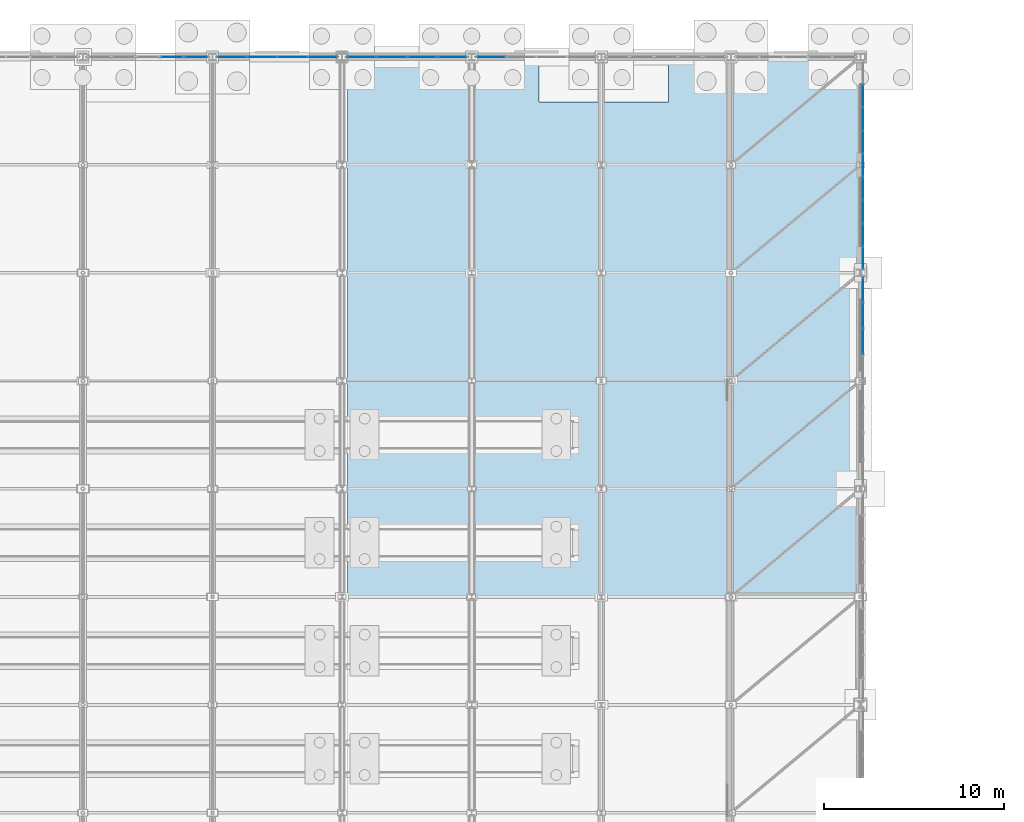
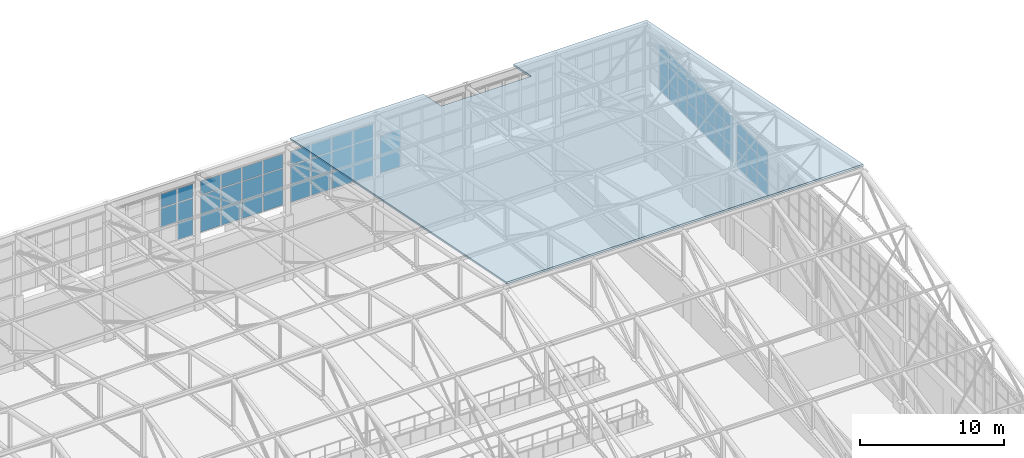
# One storey, part 253 of 293: 64 plates, 1 slab, 6 elements without a shape of their own.
"""IFC4 building model written with IfcOpenShell, lengths in metres."""

from ifc_helpers import new_model, si_unit, direction, frame, origin, origin_2d, place, context, subcontext, project, spatial, polyline, rectangle, outline, extrude, material, layer, layer_set, type_object, element, aggregate, save


model = new_model("IFC4")

# Units and contexts
model_context = context("Model", 3, precision=1e-05, world=origin(), true_north=direction((0.0, 1.0)))
body_context = subcontext(model_context, "Body", "Model", "MODEL_VIEW")
ifc_project = project(units=[si_unit("LENGTHUNIT", "METRE"), si_unit("AREAUNIT", "SQUARE_METRE"), si_unit("VOLUMEUNIT", "CUBIC_METRE"), si_unit("PLANEANGLEUNIT", "RADIAN"), si_unit("MASSUNIT", "GRAM", prefix="KILO")], contexts=[model_context])

# Site, building, storey
site_placement = place(None, origin())
site = spatial("IfcSite", under=ifc_project, at=site_placement, CompositionType="ELEMENT")
building_placement = place(site_placement, origin())
building = spatial("IfcBuilding", under=site, at=building_placement, Name="Kemerveld Promenade Tramway Depot", CompositionType="ELEMENT")
storey_placement = place(building_placement, origin())
storey = spatial("IfcBuildingStorey", under=building, at=storey_placement, Name="L00", CompositionType="ELEMENT", Elevation=0.0)

# Curtain wall, plates
ifc_material_1 = material(Name="Bronze anodised aluminium and solar glass", Category="aluminium")
ifc_layer_1 = layer(ifc_material_1, 0.159912109375)
ifc_layer_set_1 = layer_set([ifc_layer_1], Name="CW-SYS-03")
curtain_wall_type_1 = type_object("IfcCurtainWallType", Name="CW-SYS-03", PredefinedType="USERDEFINED", material=ifc_layer_set_1)
curtain_wall_1_placement = place(storey_placement, origin())
curtain_wall_1 = element("IfcCurtainWall", 1, at=curtain_wall_1_placement, inside=storey, type_object=curtain_wall_type_1, Name="CW-V1-N-17", ObjectType="GLAZED_CURTAIN_WALL", PredefinedType="USERDEFINED")
ifc_material_2 = material(Name="Solar-control laminated double glazing", Category="glass")
ifc_layer_2 = layer(ifc_material_2, 0.028076171875)
ifc_layer_set_2 = layer_set([ifc_layer_2], Name="CW-PNL-01")
plate_type_1 = type_object("IfcPlateType", Name="CW-PNL-01", PredefinedType="CURTAIN_PANEL", material=ifc_layer_set_2)
plate_1_placement = place(storey_placement, frame((152.28369140625, 144.0, 6.259765625), z_axis=(0.0, 0.0, 1.0), x_axis=(1.0, 0.0, 0.0)))
plate_1 = element("IfcPlate", 2, at=plate_1_placement, type_object=plate_type_1, Name="CW03 panel 1.1", PredefinedType="CURTAIN_PANEL", context=body_context, shape_type="SweptSolid", body=[
    extrude(rectangle(XDim=1.5908203125, YDim=0.028076171875, at=origin_2d()), origin(), (0.0, 0.0, 1.0), 1.468017578125),
])
plate_2_placement = place(storey_placement, frame((152.28369140625, 144.0, 7.7880859375), z_axis=(0.0, 0.0, 1.0), x_axis=(1.0, 0.0, 0.0)))
plate_2 = element("IfcPlate", 3, at=plate_2_placement, type_object=plate_type_1, Name="CW03 panel 1.2", PredefinedType="CURTAIN_PANEL", context=body_context, shape_type="SweptSolid", body=[
    extrude(rectangle(XDim=1.5908203125, YDim=0.028076171875, at=origin_2d()), origin(), (0.0, 0.0, 1.0), 1.5859375),
])
plate_3_placement = place(storey_placement, frame((152.28369140625, 144.0, 9.43408203125), z_axis=(0.0, 0.0, 1.0), x_axis=(1.0, 0.0, 0.0)))
plate_3 = element("IfcPlate", 4, at=plate_3_placement, type_object=plate_type_1, Name="CW03 panel 1.3", PredefinedType="CURTAIN_PANEL", context=body_context, shape_type="SweptSolid", body=[
    extrude(rectangle(XDim=1.5908203125, YDim=0.028076171875, at=origin_2d()), origin(), (0.0, 0.0, 1.0), 1.156005859375),
])
plate_4_placement = place(storey_placement, frame((153.955810546875, 144.0, 6.259765625), z_axis=(0.0, 0.0, 1.0), x_axis=(1.0, 0.0, 0.0)))
plate_4 = element("IfcPlate", 5, at=plate_4_placement, type_object=plate_type_1, Name="CW03 panel 2.1", PredefinedType="CURTAIN_PANEL", context=body_context, shape_type="SweptSolid", body=[
    extrude(rectangle(XDim=1.623291015625, YDim=0.028076171875, at=origin_2d()), origin(), (0.0, 0.0, 1.0), 1.468017578125),
])
plate_5_placement = place(storey_placement, frame((153.955810546875, 144.0, 7.7880859375), z_axis=(0.0, 0.0, 1.0), x_axis=(1.0, 0.0, 0.0)))
plate_5 = element("IfcPlate", 6, at=plate_5_placement, type_object=plate_type_1, Name="CW03 panel 2.2", PredefinedType="CURTAIN_PANEL", context=body_context, shape_type="SweptSolid", body=[
    extrude(rectangle(XDim=1.623291015625, YDim=0.028076171875, at=origin_2d()), origin(), (0.0, 0.0, 1.0), 1.5859375),
])
plate_6_placement = place(storey_placement, frame((153.955810546875, 144.0, 9.43408203125), z_axis=(0.0, 0.0, 1.0), x_axis=(1.0, 0.0, 0.0)))
plate_6 = element("IfcPlate", 7, at=plate_6_placement, type_object=plate_type_1, Name="CW03 panel 2.3", PredefinedType="CURTAIN_PANEL", context=body_context, shape_type="SweptSolid", body=[
    extrude(rectangle(XDim=1.623291015625, YDim=0.028076171875, at=origin_2d()), origin(), (0.0, 0.0, 1.0), 1.156005859375),
])
plate_7_placement = place(storey_placement, frame((155.644287109375, 144.0, 6.259765625), z_axis=(0.0, 0.0, 1.0), x_axis=(1.0, 0.0, 0.0)))
plate_7 = element("IfcPlate", 8, at=plate_7_placement, type_object=plate_type_1, Name="CW03 panel 3.1", PredefinedType="CURTAIN_PANEL", context=body_context, shape_type="SweptSolid", body=[
    extrude(rectangle(XDim=1.623291015625, YDim=0.028076171875, at=origin_2d()), origin(), (0.0, 0.0, 1.0), 1.468017578125),
])
plate_8_placement = place(storey_placement, frame((155.644287109375, 144.0, 7.7880859375), z_axis=(0.0, 0.0, 1.0), x_axis=(1.0, 0.0, 0.0)))
plate_8 = element("IfcPlate", 9, at=plate_8_placement, type_object=plate_type_1, Name="CW03 panel 3.2", PredefinedType="CURTAIN_PANEL", context=body_context, shape_type="SweptSolid", body=[
    extrude(rectangle(XDim=1.623291015625, YDim=0.028076171875, at=origin_2d()), origin(), (0.0, 0.0, 1.0), 1.5859375),
])
plate_9_placement = place(storey_placement, frame((155.644287109375, 144.0, 9.43408203125), z_axis=(0.0, 0.0, 1.0), x_axis=(1.0, 0.0, 0.0)))
plate_9 = element("IfcPlate", 10, at=plate_9_placement, type_object=plate_type_1, Name="CW03 panel 3.3", PredefinedType="CURTAIN_PANEL", context=body_context, shape_type="SweptSolid", body=[
    extrude(rectangle(XDim=1.623291015625, YDim=0.028076171875, at=origin_2d()), origin(), (0.0, 0.0, 1.0), 1.156005859375),
])
plate_10_placement = place(storey_placement, frame((157.31640625, 144.0, 6.259765625), z_axis=(0.0, 0.0, 1.0), x_axis=(1.0, 0.0, 0.0)))
plate_10 = element("IfcPlate", 11, at=plate_10_placement, type_object=plate_type_1, Name="CW03 panel 4.1", PredefinedType="CURTAIN_PANEL", context=body_context, shape_type="SweptSolid", body=[
    extrude(rectangle(XDim=1.5908203125, YDim=0.028076171875, at=origin_2d()), origin(), (0.0, 0.0, 1.0), 1.468017578125),
])
plate_11_placement = place(storey_placement, frame((157.31640625, 144.0, 7.7880859375), z_axis=(0.0, 0.0, 1.0), x_axis=(1.0, 0.0, 0.0)))
plate_11 = element("IfcPlate", 12, at=plate_11_placement, type_object=plate_type_1, Name="CW03 panel 4.2", PredefinedType="CURTAIN_PANEL", context=body_context, shape_type="SweptSolid", body=[
    extrude(rectangle(XDim=1.5908203125, YDim=0.028076171875, at=origin_2d()), origin(), (0.0, 0.0, 1.0), 1.5859375),
])
plate_12_placement = place(storey_placement, frame((157.31640625, 144.0, 9.43408203125), z_axis=(0.0, 0.0, 1.0), x_axis=(1.0, 0.0, 0.0)))
plate_12 = element("IfcPlate", 13, at=plate_12_placement, type_object=plate_type_1, Name="CW03 panel 4.3", PredefinedType="CURTAIN_PANEL", context=body_context, shape_type="SweptSolid", body=[
    extrude(rectangle(XDim=1.5908203125, YDim=0.028076171875, at=origin_2d()), origin(), (0.0, 0.0, 1.0), 1.156005859375),
])
aggregate(curtain_wall_1, [plate_1, plate_2, plate_3, plate_4, plate_5, plate_6, plate_7, plate_8, plate_9, plate_10, plate_11, plate_12])

ifc_layer_3 = layer(ifc_material_1, 0.199951171875)
ifc_layer_set_3 = layer_set([ifc_layer_3], Name="CW-SYS-04")
curtain_wall_type_2 = type_object("IfcCurtainWallType", Name="CW-SYS-04", PredefinedType="USERDEFINED", material=ifc_layer_set_3)
curtain_wall_2_placement = place(storey_placement, origin())
curtain_wall_2 = element("IfcCurtainWall", 14, at=curtain_wall_2_placement, inside=storey, type_object=curtain_wall_type_2, Name="CW-V1-N-18", ObjectType="GLAZED_CURTAIN_WALL", PredefinedType="USERDEFINED")
ifc_layer_4 = layer(ifc_material_2, 0.028076171875)
ifc_layer_set_4 = layer_set([ifc_layer_4], Name="CW-PNL-02")
plate_type_2 = type_object("IfcPlateType", Name="CW-PNL-02", PredefinedType="CURTAIN_PANEL", material=ifc_layer_set_4)
plate_13_placement = place(storey_placement, frame((159.486083984375, 144.0, 6.26513671875), z_axis=(0.0, 0.0, 1.0), x_axis=(1.0, 0.0, 0.0)))
plate_13 = element("IfcPlate", 15, at=plate_13_placement, type_object=plate_type_2, Name="CW04 panel 1.1", PredefinedType="CURTAIN_PANEL", context=body_context, shape_type="SweptSolid", body=[
    extrude(rectangle(XDim=1.575927734375, YDim=0.028076171875, at=origin_2d()), origin(), (0.0, 0.0, 1.0), 1.46044921875),
])
plate_14_placement = place(storey_placement, frame((159.486083984375, 144.0, 7.79052734375), z_axis=(0.0, 0.0, 1.0), x_axis=(1.0, 0.0, 0.0)))
plate_14 = element("IfcPlate", 16, at=plate_14_placement, type_object=plate_type_2, Name="CW04 panel 1.2", PredefinedType="CURTAIN_PANEL", context=body_context, shape_type="SweptSolid", body=[
    extrude(rectangle(XDim=1.575927734375, YDim=0.028076171875, at=origin_2d()), origin(), (0.0, 0.0, 1.0), 1.5810546875),
])
plate_15_placement = place(storey_placement, frame((159.486083984375, 144.0, 9.4365234375), z_axis=(0.0, 0.0, 1.0), x_axis=(1.0, 0.0, 0.0)))
plate_15 = element("IfcPlate", 17, at=plate_15_placement, type_object=plate_type_2, Name="CW04 panel 1.3", PredefinedType="CURTAIN_PANEL", context=body_context, shape_type="SweptSolid", body=[
    extrude(rectangle(XDim=1.575927734375, YDim=0.028076171875, at=origin_2d()), origin(), (0.0, 0.0, 1.0), 1.1484375),
])
plate_16_placement = place(storey_placement, frame((161.15576171875, 144.0, 6.26513671875), z_axis=(0.0, 0.0, 1.0), x_axis=(1.0, 0.0, 0.0)))
plate_16 = element("IfcPlate", 18, at=plate_16_placement, type_object=plate_type_2, Name="CW04 panel 2.1", PredefinedType="CURTAIN_PANEL", context=body_context, shape_type="SweptSolid", body=[
    extrude(rectangle(XDim=1.61328125, YDim=0.028076171875, at=origin_2d()), origin(), (0.0, 0.0, 1.0), 1.46044921875),
])
plate_17_placement = place(storey_placement, frame((161.15576171875, 144.0, 7.79052734375), z_axis=(0.0, 0.0, 1.0), x_axis=(1.0, 0.0, 0.0)))
plate_17 = element("IfcPlate", 19, at=plate_17_placement, type_object=plate_type_2, Name="CW04 panel 2.2", PredefinedType="CURTAIN_PANEL", context=body_context, shape_type="SweptSolid", body=[
    extrude(rectangle(XDim=1.61328125, YDim=0.028076171875, at=origin_2d()), origin(), (0.0, 0.0, 1.0), 1.5810546875),
])
plate_18_placement = place(storey_placement, frame((161.15576171875, 144.0, 9.4365234375), z_axis=(0.0, 0.0, 1.0), x_axis=(1.0, 0.0, 0.0)))
plate_18 = element("IfcPlate", 20, at=plate_18_placement, type_object=plate_type_2, Name="CW04 panel 2.3", PredefinedType="CURTAIN_PANEL", context=body_context, shape_type="SweptSolid", body=[
    extrude(rectangle(XDim=1.61328125, YDim=0.028076171875, at=origin_2d()), origin(), (0.0, 0.0, 1.0), 1.1484375),
])
plate_19_placement = place(storey_placement, frame((162.84423828125, 144.0, 6.26513671875), z_axis=(0.0, 0.0, 1.0), x_axis=(1.0, 0.0, 0.0)))
plate_19 = element("IfcPlate", 21, at=plate_19_placement, type_object=plate_type_2, Name="CW04 panel 3.1", PredefinedType="CURTAIN_PANEL", context=body_context, shape_type="SweptSolid", body=[
    extrude(rectangle(XDim=1.61328125, YDim=0.028076171875, at=origin_2d()), origin(), (0.0, 0.0, 1.0), 1.46044921875),
])
plate_20_placement = place(storey_placement, frame((162.84423828125, 144.0, 7.79052734375), z_axis=(0.0, 0.0, 1.0), x_axis=(1.0, 0.0, 0.0)))
plate_20 = element("IfcPlate", 22, at=plate_20_placement, type_object=plate_type_2, Name="CW04 panel 3.2", PredefinedType="CURTAIN_PANEL", context=body_context, shape_type="SweptSolid", body=[
    extrude(rectangle(XDim=1.61328125, YDim=0.028076171875, at=origin_2d()), origin(), (0.0, 0.0, 1.0), 1.5810546875),
])
plate_21_placement = place(storey_placement, frame((162.84423828125, 144.0, 9.4365234375), z_axis=(0.0, 0.0, 1.0), x_axis=(1.0, 0.0, 0.0)))
plate_21 = element("IfcPlate", 23, at=plate_21_placement, type_object=plate_type_2, Name="CW04 panel 3.3", PredefinedType="CURTAIN_PANEL", context=body_context, shape_type="SweptSolid", body=[
    extrude(rectangle(XDim=1.61328125, YDim=0.028076171875, at=origin_2d()), origin(), (0.0, 0.0, 1.0), 1.1484375),
])
plate_22_placement = place(storey_placement, frame((164.513916015625, 144.0, 6.26513671875), z_axis=(0.0, 0.0, 1.0), x_axis=(1.0, 0.0, 0.0)))
plate_22 = element("IfcPlate", 24, at=plate_22_placement, type_object=plate_type_2, Name="CW04 panel 4.1", PredefinedType="CURTAIN_PANEL", context=body_context, shape_type="SweptSolid", body=[
    extrude(rectangle(XDim=1.575927734375, YDim=0.028076171875, at=origin_2d()), origin(), (0.0, 0.0, 1.0), 1.46044921875),
])
plate_23_placement = place(storey_placement, frame((164.513916015625, 144.0, 7.79052734375), z_axis=(0.0, 0.0, 1.0), x_axis=(1.0, 0.0, 0.0)))
plate_23 = element("IfcPlate", 25, at=plate_23_placement, type_object=plate_type_2, Name="CW04 panel 4.2", PredefinedType="CURTAIN_PANEL", context=body_context, shape_type="SweptSolid", body=[
    extrude(rectangle(XDim=1.575927734375, YDim=0.028076171875, at=origin_2d()), origin(), (0.0, 0.0, 1.0), 1.5810546875),
])
plate_24_placement = place(storey_placement, frame((164.513916015625, 144.0, 9.4365234375), z_axis=(0.0, 0.0, 1.0), x_axis=(1.0, 0.0, 0.0)))
plate_24 = element("IfcPlate", 26, at=plate_24_placement, type_object=plate_type_2, Name="CW04 panel 4.3", PredefinedType="CURTAIN_PANEL", context=body_context, shape_type="SweptSolid", body=[
    extrude(rectangle(XDim=1.575927734375, YDim=0.028076171875, at=origin_2d()), origin(), (0.0, 0.0, 1.0), 1.1484375),
])
aggregate(curtain_wall_2, [plate_13, plate_14, plate_15, plate_16, plate_17, plate_18, plate_19, plate_20, plate_21, plate_22, plate_23, plate_24])

ifc_layer_5 = layer(ifc_material_1, 0.159912109375)
ifc_layer_set_5 = layer_set([ifc_layer_5], Name="CW-SYS-05")
curtain_wall_type_3 = type_object("IfcCurtainWallType", Name="CW-SYS-05", PredefinedType="USERDEFINED", material=ifc_layer_set_5)
curtain_wall_3_placement = place(storey_placement, origin())
curtain_wall_3 = element("IfcCurtainWall", 27, at=curtain_wall_3_placement, inside=storey, type_object=curtain_wall_type_3, Name="CW-V1-N-19", ObjectType="GLAZED_CURTAIN_WALL", PredefinedType="USERDEFINED")
ifc_layer_6 = layer(ifc_material_2, 0.028076171875)
ifc_layer_set_6 = layer_set([ifc_layer_6], Name="CW-PNL-03")
plate_type_3 = type_object("IfcPlateType", Name="CW-PNL-03", PredefinedType="CURTAIN_PANEL", material=ifc_layer_set_6)
plate_25_placement = place(storey_placement, frame((166.68359375, 144.0, 6.259765625), z_axis=(0.0, 0.0, 1.0), x_axis=(1.0, 0.0, 0.0)))
plate_25 = element("IfcPlate", 28, at=plate_25_placement, type_object=plate_type_3, Name="CW05 panel 1.1", PredefinedType="CURTAIN_PANEL", context=body_context, shape_type="SweptSolid", body=[
    extrude(rectangle(XDim=1.5908203125, YDim=0.028076171875, at=origin_2d()), origin(), (0.0, 0.0, 1.0), 1.468017578125),
])
plate_26_placement = place(storey_placement, frame((166.68359375, 144.0, 7.7880859375), z_axis=(0.0, 0.0, 1.0), x_axis=(1.0, 0.0, 0.0)))
plate_26 = element("IfcPlate", 29, at=plate_26_placement, type_object=plate_type_3, Name="CW05 panel 1.2", PredefinedType="CURTAIN_PANEL", context=body_context, shape_type="SweptSolid", body=[
    extrude(rectangle(XDim=1.5908203125, YDim=0.028076171875, at=origin_2d()), origin(), (0.0, 0.0, 1.0), 1.5859375),
])
aggregate(curtain_wall_3, [plate_25, plate_26])

ifc_layer_7 = layer(ifc_material_1, 0.199951171875)
ifc_layer_set_7 = layer_set([ifc_layer_7], Name="CW-SYS-14")
curtain_wall_type_4 = type_object("IfcCurtainWallType", Name="CW-SYS-14", PredefinedType="USERDEFINED", material=ifc_layer_set_7)
curtain_wall_4_placement = place(storey_placement, origin())
curtain_wall_4 = element("IfcCurtainWall", 30, at=curtain_wall_4_placement, inside=storey, type_object=curtain_wall_type_4, Name="CW-V1-E-04", ObjectType="GLAZED_CURTAIN_WALL", PredefinedType="USERDEFINED")
ifc_layer_8 = layer(ifc_material_2, 0.02587890625)
ifc_layer_set_8 = layer_set([ifc_layer_8], Name="CW-PNL-06")
plate_type_4 = type_object("IfcPlateType", Name="CW-PNL-06", PredefinedType="CURTAIN_PANEL", material=ifc_layer_set_8)
plate_27_placement = place(storey_placement, frame((187.35009765625, 131.07080078125, 6.71484375), z_axis=(0.0, 0.0, 1.0), x_axis=(0.0, -1.0, 0.0)))
plate_27 = element("IfcPlate", 31, at=plate_27_placement, type_object=plate_type_4, Name="CW14 panel 1.1", PredefinedType="CURTAIN_PANEL", context=body_context, shape_type="SweptSolid", body=[
    extrude(rectangle(XDim=1.341552734375, YDim=0.02587890625, at=origin_2d()), origin(), (0.0, 0.0, 1.0), 1.285400390625),
])
plate_28_placement = place(storey_placement, frame((187.35009765625, 131.07080078125, 8.0654296875), z_axis=(0.0, 0.0, 1.0), x_axis=(0.0, -1.0, 0.0)))
plate_28 = element("IfcPlate", 32, at=plate_28_placement, type_object=plate_type_4, Name="CW14 panel 1.2", PredefinedType="CURTAIN_PANEL", context=body_context, shape_type="SweptSolid", body=[
    extrude(rectangle(XDim=1.341552734375, YDim=0.02587890625, at=origin_2d()), origin(), (0.0, 0.0, 1.0), 1.39599609375),
])
plate_29_placement = place(storey_placement, frame((187.35009765625, 131.07080078125, 9.5263671875), z_axis=(0.0, 0.0, 1.0), x_axis=(0.0, -1.0, 0.0)))
plate_29 = element("IfcPlate", 33, at=plate_29_placement, type_object=plate_type_4, Name="CW14 panel 1.3", PredefinedType="CURTAIN_PANEL", context=body_context, shape_type="SweptSolid", body=[
    extrude(rectangle(XDim=1.341552734375, YDim=0.02587890625, at=origin_2d()), origin(), (0.0, 0.0, 1.0), 1.008544921875),
])
plate_30_placement = place(storey_placement, frame((187.35009765625, 129.63525390625, 6.71484375), z_axis=(0.0, 0.0, 1.0), x_axis=(0.0, -1.0, 0.0)))
plate_30 = element("IfcPlate", 34, at=plate_30_placement, type_object=plate_type_4, Name="CW14 panel 2.1", PredefinedType="CURTAIN_PANEL", context=body_context, shape_type="SweptSolid", body=[
    extrude(rectangle(XDim=1.379150390625, YDim=0.02587890625, at=origin_2d()), origin(), (0.0, 0.0, 1.0), 1.285400390625),
])
plate_31_placement = place(storey_placement, frame((187.35009765625, 129.63525390625, 8.0654296875), z_axis=(0.0, 0.0, 1.0), x_axis=(0.0, -1.0, 0.0)))
plate_31 = element("IfcPlate", 35, at=plate_31_placement, type_object=plate_type_4, Name="CW14 panel 2.2", PredefinedType="CURTAIN_PANEL", context=body_context, shape_type="SweptSolid", body=[
    extrude(rectangle(XDim=1.379150390625, YDim=0.02587890625, at=origin_2d()), origin(), (0.0, 0.0, 1.0), 1.39599609375),
])
plate_32_placement = place(storey_placement, frame((187.35009765625, 129.63525390625, 9.5263671875), z_axis=(0.0, 0.0, 1.0), x_axis=(0.0, -1.0, 0.0)))
plate_32 = element("IfcPlate", 36, at=plate_32_placement, type_object=plate_type_4, Name="CW14 panel 2.3", PredefinedType="CURTAIN_PANEL", context=body_context, shape_type="SweptSolid", body=[
    extrude(rectangle(XDim=1.379150390625, YDim=0.02587890625, at=origin_2d()), origin(), (0.0, 0.0, 1.0), 1.008544921875),
])
plate_33_placement = place(storey_placement, frame((187.35009765625, 128.18115234375, 6.71484375), z_axis=(0.0, 0.0, 1.0), x_axis=(0.0, -1.0, 0.0)))
plate_33 = element("IfcPlate", 37, at=plate_33_placement, type_object=plate_type_4, Name="CW14 panel 3.1", PredefinedType="CURTAIN_PANEL", context=body_context, shape_type="SweptSolid", body=[
    extrude(rectangle(XDim=1.379150390625, YDim=0.02587890625, at=origin_2d()), origin(), (0.0, 0.0, 1.0), 1.285400390625),
])
plate_34_placement = place(storey_placement, frame((187.35009765625, 128.18115234375, 8.0654296875), z_axis=(0.0, 0.0, 1.0), x_axis=(0.0, -1.0, 0.0)))
plate_34 = element("IfcPlate", 38, at=plate_34_placement, type_object=plate_type_4, Name="CW14 panel 3.2", PredefinedType="CURTAIN_PANEL", context=body_context, shape_type="SweptSolid", body=[
    extrude(rectangle(XDim=1.379150390625, YDim=0.02587890625, at=origin_2d()), origin(), (0.0, 0.0, 1.0), 1.39599609375),
])
plate_35_placement = place(storey_placement, frame((187.35009765625, 128.18115234375, 9.5263671875), z_axis=(0.0, 0.0, 1.0), x_axis=(0.0, -1.0, 0.0)))
plate_35 = element("IfcPlate", 39, at=plate_35_placement, type_object=plate_type_4, Name="CW14 panel 3.3", PredefinedType="CURTAIN_PANEL", context=body_context, shape_type="SweptSolid", body=[
    extrude(rectangle(XDim=1.379150390625, YDim=0.02587890625, at=origin_2d()), origin(), (0.0, 0.0, 1.0), 1.008544921875),
])
aggregate(curtain_wall_4, [plate_27, plate_28, plate_29, plate_30, plate_31, plate_32, plate_33, plate_34, plate_35])

ifc_layer_9 = layer(ifc_material_1, 0.159912109375)
ifc_layer_set_9 = layer_set([ifc_layer_9], Name="CW-SYS-01")
curtain_wall_type_5 = type_object("IfcCurtainWallType", Name="CW-SYS-01", PredefinedType="USERDEFINED", material=ifc_layer_set_9)
curtain_wall_5_placement = place(storey_placement, origin())
curtain_wall_5 = element("IfcCurtainWall", 40, at=curtain_wall_5_placement, inside=storey, type_object=curtain_wall_type_5, Name="CW-V1-E-05", ObjectType="GLAZED_CURTAIN_WALL", PredefinedType="USERDEFINED")
ifc_layer_10 = layer(ifc_material_2, 0.030029296875)
ifc_layer_set_10 = layer_set([ifc_layer_10], Name="CW-PNL-07")
plate_type_5 = type_object("IfcPlateType", Name="CW-PNL-07", PredefinedType="CURTAIN_PANEL", material=ifc_layer_set_10)
plate_36_placement = place(storey_placement, frame((187.35009765625, 141.844482421875, 6.7099609375), z_axis=(0.0, 0.0, 1.0), x_axis=(0.0, -1.0, 0.0)))
plate_36 = element("IfcPlate", 41, at=plate_36_placement, type_object=plate_type_5, Name="CW01 panel 2.1", PredefinedType="CURTAIN_PANEL", context=body_context, shape_type="SweptSolid", body=[
    extrude(rectangle(XDim=1.22314453125, YDim=0.030029296875, at=origin_2d()), origin(), (0.0, 0.0, 1.0), 1.29296875),
])
plate_37_placement = place(storey_placement, frame((187.35009765625, 141.844482421875, 8.06298828125), z_axis=(0.0, 0.0, 1.0), x_axis=(0.0, -1.0, 0.0)))
plate_37 = element("IfcPlate", 42, at=plate_37_placement, type_object=plate_type_5, Name="CW01 panel 2.2", PredefinedType="CURTAIN_PANEL", context=body_context, shape_type="SweptSolid", body=[
    extrude(rectangle(XDim=1.22314453125, YDim=0.030029296875, at=origin_2d()), origin(), (0.0, 0.0, 1.0), 1.40087890625),
])
plate_38_placement = place(storey_placement, frame((187.35009765625, 141.844482421875, 9.52392578125), z_axis=(0.0, 0.0, 1.0), x_axis=(0.0, -1.0, 0.0)))
plate_38 = element("IfcPlate", 43, at=plate_38_placement, type_object=plate_type_5, Name="CW01 panel 2.3", PredefinedType="CURTAIN_PANEL", context=body_context, shape_type="SweptSolid", body=[
    extrude(rectangle(XDim=1.22314453125, YDim=0.030029296875, at=origin_2d()), origin(), (0.0, 0.0, 1.0), 1.01611328125),
])
plate_39_placement = place(storey_placement, frame((187.35009765625, 140.556396484375, 6.7099609375), z_axis=(0.0, 0.0, 1.0), x_axis=(0.0, -1.0, 0.0)))
plate_39 = element("IfcPlate", 44, at=plate_39_placement, type_object=plate_type_5, Name="CW01 panel 3.1", PredefinedType="CURTAIN_PANEL", context=body_context, shape_type="SweptSolid", body=[
    extrude(rectangle(XDim=1.22314453125, YDim=0.030029296875, at=origin_2d()), origin(), (0.0, 0.0, 1.0), 1.29296875),
])
plate_40_placement = place(storey_placement, frame((187.35009765625, 140.556396484375, 8.06298828125), z_axis=(0.0, 0.0, 1.0), x_axis=(0.0, -1.0, 0.0)))
plate_40 = element("IfcPlate", 45, at=plate_40_placement, type_object=plate_type_5, Name="CW01 panel 3.2", PredefinedType="CURTAIN_PANEL", context=body_context, shape_type="SweptSolid", body=[
    extrude(rectangle(XDim=1.22314453125, YDim=0.030029296875, at=origin_2d()), origin(), (0.0, 0.0, 1.0), 1.40087890625),
])
plate_41_placement = place(storey_placement, frame((187.35009765625, 140.556396484375, 9.52392578125), z_axis=(0.0, 0.0, 1.0), x_axis=(0.0, -1.0, 0.0)))
plate_41 = element("IfcPlate", 46, at=plate_41_placement, type_object=plate_type_5, Name="CW01 panel 3.3", PredefinedType="CURTAIN_PANEL", context=body_context, shape_type="SweptSolid", body=[
    extrude(rectangle(XDim=1.22314453125, YDim=0.030029296875, at=origin_2d()), origin(), (0.0, 0.0, 1.0), 1.01611328125),
])
plate_42_placement = place(storey_placement, frame((187.35009765625, 139.268310546875, 6.7099609375), z_axis=(0.0, 0.0, 1.0), x_axis=(0.0, -1.0, 0.0)))
plate_42 = element("IfcPlate", 47, at=plate_42_placement, type_object=plate_type_5, Name="CW01 panel 4.1", PredefinedType="CURTAIN_PANEL", context=body_context, shape_type="SweptSolid", body=[
    extrude(rectangle(XDim=1.22314453125, YDim=0.030029296875, at=origin_2d()), origin(), (0.0, 0.0, 1.0), 1.29296875),
])
plate_43_placement = place(storey_placement, frame((187.35009765625, 139.268310546875, 8.06298828125), z_axis=(0.0, 0.0, 1.0), x_axis=(0.0, -1.0, 0.0)))
plate_43 = element("IfcPlate", 48, at=plate_43_placement, type_object=plate_type_5, Name="CW01 panel 4.2", PredefinedType="CURTAIN_PANEL", context=body_context, shape_type="SweptSolid", body=[
    extrude(rectangle(XDim=1.22314453125, YDim=0.030029296875, at=origin_2d()), origin(), (0.0, 0.0, 1.0), 1.40087890625),
])
plate_44_placement = place(storey_placement, frame((187.35009765625, 139.268310546875, 9.52392578125), z_axis=(0.0, 0.0, 1.0), x_axis=(0.0, -1.0, 0.0)))
plate_44 = element("IfcPlate", 49, at=plate_44_placement, type_object=plate_type_5, Name="CW01 panel 4.3", PredefinedType="CURTAIN_PANEL", context=body_context, shape_type="SweptSolid", body=[
    extrude(rectangle(XDim=1.22314453125, YDim=0.030029296875, at=origin_2d()), origin(), (0.0, 0.0, 1.0), 1.01611328125),
])
plate_45_placement = place(storey_placement, frame((187.35009765625, 137.980224609375, 6.7099609375), z_axis=(0.0, 0.0, 1.0), x_axis=(0.0, -1.0, 0.0)))
plate_45 = element("IfcPlate", 50, at=plate_45_placement, type_object=plate_type_5, Name="CW01 panel 5.1", PredefinedType="CURTAIN_PANEL", context=body_context, shape_type="SweptSolid", body=[
    extrude(rectangle(XDim=1.22314453125, YDim=0.030029296875, at=origin_2d()), origin(), (0.0, 0.0, 1.0), 1.29296875),
])
plate_46_placement = place(storey_placement, frame((187.35009765625, 137.980224609375, 8.06298828125), z_axis=(0.0, 0.0, 1.0), x_axis=(0.0, -1.0, 0.0)))
plate_46 = element("IfcPlate", 51, at=plate_46_placement, type_object=plate_type_5, Name="CW01 panel 5.2", PredefinedType="CURTAIN_PANEL", context=body_context, shape_type="SweptSolid", body=[
    extrude(rectangle(XDim=1.22314453125, YDim=0.030029296875, at=origin_2d()), origin(), (0.0, 0.0, 1.0), 1.40087890625),
])
plate_47_placement = place(storey_placement, frame((187.35009765625, 137.980224609375, 9.52392578125), z_axis=(0.0, 0.0, 1.0), x_axis=(0.0, -1.0, 0.0)))
plate_47 = element("IfcPlate", 52, at=plate_47_placement, type_object=plate_type_5, Name="CW01 panel 5.3", PredefinedType="CURTAIN_PANEL", context=body_context, shape_type="SweptSolid", body=[
    extrude(rectangle(XDim=1.22314453125, YDim=0.030029296875, at=origin_2d()), origin(), (0.0, 0.0, 1.0), 1.01611328125),
])
plate_48_placement = place(storey_placement, frame((187.35009765625, 136.69189453125, 6.7099609375), z_axis=(0.0, 0.0, 1.0), x_axis=(0.0, -1.0, 0.0)))
plate_48 = element("IfcPlate", 53, at=plate_48_placement, type_object=plate_type_5, Name="CW01 panel 6.1", PredefinedType="CURTAIN_PANEL", context=body_context, shape_type="SweptSolid", body=[
    extrude(rectangle(XDim=1.22314453125, YDim=0.030029296875, at=origin_2d()), origin(), (0.0, 0.0, 1.0), 1.29296875),
])
plate_49_placement = place(storey_placement, frame((187.35009765625, 136.69189453125, 8.06298828125), z_axis=(0.0, 0.0, 1.0), x_axis=(0.0, -1.0, 0.0)))
plate_49 = element("IfcPlate", 54, at=plate_49_placement, type_object=plate_type_5, Name="CW01 panel 6.2", PredefinedType="CURTAIN_PANEL", context=body_context, shape_type="SweptSolid", body=[
    extrude(rectangle(XDim=1.22314453125, YDim=0.030029296875, at=origin_2d()), origin(), (0.0, 0.0, 1.0), 1.40087890625),
])
plate_50_placement = place(storey_placement, frame((187.35009765625, 136.69189453125, 9.52392578125), z_axis=(0.0, 0.0, 1.0), x_axis=(0.0, -1.0, 0.0)))
plate_50 = element("IfcPlate", 55, at=plate_50_placement, type_object=plate_type_5, Name="CW01 panel 6.3", PredefinedType="CURTAIN_PANEL", context=body_context, shape_type="SweptSolid", body=[
    extrude(rectangle(XDim=1.22314453125, YDim=0.030029296875, at=origin_2d()), origin(), (0.0, 0.0, 1.0), 1.01611328125),
])
plate_51_placement = place(storey_placement, frame((187.35009765625, 135.40380859375, 6.7099609375), z_axis=(0.0, 0.0, 1.0), x_axis=(0.0, -1.0, 0.0)))
plate_51 = element("IfcPlate", 56, at=plate_51_placement, type_object=plate_type_5, Name="CW01 panel 7.1", PredefinedType="CURTAIN_PANEL", context=body_context, shape_type="SweptSolid", body=[
    extrude(rectangle(XDim=1.22314453125, YDim=0.030029296875, at=origin_2d()), origin(), (0.0, 0.0, 1.0), 1.29296875),
])
plate_52_placement = place(storey_placement, frame((187.35009765625, 135.40380859375, 8.06298828125), z_axis=(0.0, 0.0, 1.0), x_axis=(0.0, -1.0, 0.0)))
plate_52 = element("IfcPlate", 57, at=plate_52_placement, type_object=plate_type_5, Name="CW01 panel 7.2", PredefinedType="CURTAIN_PANEL", context=body_context, shape_type="SweptSolid", body=[
    extrude(rectangle(XDim=1.22314453125, YDim=0.030029296875, at=origin_2d()), origin(), (0.0, 0.0, 1.0), 1.40087890625),
])
plate_53_placement = place(storey_placement, frame((187.35009765625, 135.40380859375, 9.52392578125), z_axis=(0.0, 0.0, 1.0), x_axis=(0.0, -1.0, 0.0)))
plate_53 = element("IfcPlate", 58, at=plate_53_placement, type_object=plate_type_5, Name="CW01 panel 7.3", PredefinedType="CURTAIN_PANEL", context=body_context, shape_type="SweptSolid", body=[
    extrude(rectangle(XDim=1.22314453125, YDim=0.030029296875, at=origin_2d()), origin(), (0.0, 0.0, 1.0), 1.01611328125),
])
plate_54_placement = place(storey_placement, frame((187.35009765625, 134.11572265625, 6.7099609375), z_axis=(0.0, 0.0, 1.0), x_axis=(0.0, -1.0, 0.0)))
plate_54 = element("IfcPlate", 59, at=plate_54_placement, type_object=plate_type_5, Name="CW01 panel 8.1", PredefinedType="CURTAIN_PANEL", context=body_context, shape_type="SweptSolid", body=[
    extrude(rectangle(XDim=1.22314453125, YDim=0.030029296875, at=origin_2d()), origin(), (0.0, 0.0, 1.0), 1.29296875),
])
plate_55_placement = place(storey_placement, frame((187.35009765625, 134.11572265625, 8.06298828125), z_axis=(0.0, 0.0, 1.0), x_axis=(0.0, -1.0, 0.0)))
plate_55 = element("IfcPlate", 60, at=plate_55_placement, type_object=plate_type_5, Name="CW01 panel 8.2", PredefinedType="CURTAIN_PANEL", context=body_context, shape_type="SweptSolid", body=[
    extrude(rectangle(XDim=1.22314453125, YDim=0.030029296875, at=origin_2d()), origin(), (0.0, 0.0, 1.0), 1.40087890625),
])
plate_56_placement = place(storey_placement, frame((187.35009765625, 134.11572265625, 9.52392578125), z_axis=(0.0, 0.0, 1.0), x_axis=(0.0, -1.0, 0.0)))
plate_56 = element("IfcPlate", 61, at=plate_56_placement, type_object=plate_type_5, Name="CW01 panel 8.3", PredefinedType="CURTAIN_PANEL", context=body_context, shape_type="SweptSolid", body=[
    extrude(rectangle(XDim=1.22314453125, YDim=0.030029296875, at=origin_2d()), origin(), (0.0, 0.0, 1.0), 1.01611328125),
])
plate_57_placement = place(storey_placement, frame((187.35009765625, 132.84375, 6.7099609375), z_axis=(0.0, 0.0, 1.0), x_axis=(0.0, -1.0, 0.0)))
plate_57 = element("IfcPlate", 62, at=plate_57_placement, type_object=plate_type_5, Name="CW01 panel 9.1", PredefinedType="CURTAIN_PANEL", context=body_context, shape_type="SweptSolid", body=[
    extrude(rectangle(XDim=1.190673828125, YDim=0.030029296875, at=origin_2d()), origin(), (0.0, 0.0, 1.0), 1.29296875),
])
plate_58_placement = place(storey_placement, frame((187.35009765625, 132.84375, 8.06298828125), z_axis=(0.0, 0.0, 1.0), x_axis=(0.0, -1.0, 0.0)))
plate_58 = element("IfcPlate", 63, at=plate_58_placement, type_object=plate_type_5, Name="CW01 panel 9.2", PredefinedType="CURTAIN_PANEL", context=body_context, shape_type="SweptSolid", body=[
    extrude(rectangle(XDim=1.190673828125, YDim=0.030029296875, at=origin_2d()), origin(), (0.0, 0.0, 1.0), 1.40087890625),
])
plate_59_placement = place(storey_placement, frame((187.35009765625, 132.84375, 9.52392578125), z_axis=(0.0, 0.0, 1.0), x_axis=(0.0, -1.0, 0.0)))
plate_59 = element("IfcPlate", 64, at=plate_59_placement, type_object=plate_type_5, Name="CW01 panel 9.3", PredefinedType="CURTAIN_PANEL", context=body_context, shape_type="SweptSolid", body=[
    extrude(rectangle(XDim=1.190673828125, YDim=0.030029296875, at=origin_2d()), origin(), (0.0, 0.0, 1.0), 1.01611328125),
])
aggregate(curtain_wall_5, [plate_36, plate_37, plate_38, plate_39, plate_40, plate_41, plate_42, plate_43, plate_44, plate_45, plate_46, plate_47, plate_48, plate_49, plate_50, plate_51, plate_52, plate_53, plate_54, plate_55, plate_56, plate_57, plate_58, plate_59])

ifc_layer_11 = layer(ifc_material_1, 0.199951171875)
ifc_layer_set_11 = layer_set([ifc_layer_11], Name="CW-SYS-02")
curtain_wall_type_6 = type_object("IfcCurtainWallType", Name="CW-SYS-02", PredefinedType="USERDEFINED", material=ifc_layer_set_11)
curtain_wall_6_placement = place(storey_placement, origin())
curtain_wall_6 = element("IfcCurtainWall", 65, at=curtain_wall_6_placement, inside=storey, type_object=curtain_wall_type_6, Name="CW-V1-N-16", ObjectType="GLAZED_CURTAIN_WALL", PredefinedType="USERDEFINED")
ifc_layer_12 = layer(ifc_material_2, 0.028076171875)
ifc_layer_set_12 = layer_set([ifc_layer_12], Name="CW-PNL-08")
plate_type_6 = type_object("IfcPlateType", Name="CW-PNL-08", PredefinedType="CURTAIN_PANEL", material=ifc_layer_set_12)
plate_60_placement = place(storey_placement, frame((148.95068359375, 144.0, 7.79052734375), z_axis=(0.0, 0.0, 1.0), x_axis=(1.0, 0.0, 0.0)))
plate_60 = element("IfcPlate", 66, at=plate_60_placement, type_object=plate_type_6, Name="CW02 panel 4.2", PredefinedType="CURTAIN_PANEL", context=body_context, shape_type="SweptSolid", body=[
    extrude(rectangle(XDim=1.275634765625, YDim=0.028076171875, at=origin_2d()), origin(), (0.0, 0.0, 1.0), 1.5810546875),
])
plate_61_placement = place(storey_placement, frame((148.95068359375, 144.0, 9.4365234375), z_axis=(0.0, 0.0, 1.0), x_axis=(1.0, 0.0, 0.0)))
plate_61 = element("IfcPlate", 67, at=plate_61_placement, type_object=plate_type_6, Name="CW02 panel 4.3", PredefinedType="CURTAIN_PANEL", context=body_context, shape_type="SweptSolid", body=[
    extrude(rectangle(XDim=1.275634765625, YDim=0.028076171875, at=origin_2d()), origin(), (0.0, 0.0, 1.0), 1.1484375),
])
plate_62_placement = place(storey_placement, frame((150.28271484375, 144.0, 6.26513671875), z_axis=(0.0, 0.0, 1.0), x_axis=(1.0, 0.0, 0.0)))
plate_62 = element("IfcPlate", 68, at=plate_62_placement, type_object=plate_type_6, Name="CW02 panel 5.1", PredefinedType="CURTAIN_PANEL", context=body_context, shape_type="SweptSolid", body=[
    extrude(rectangle(XDim=1.23828125, YDim=0.028076171875, at=origin_2d()), origin(), (0.0, 0.0, 1.0), 1.46044921875),
])
plate_63_placement = place(storey_placement, frame((150.28271484375, 144.0, 7.79052734375), z_axis=(0.0, 0.0, 1.0), x_axis=(1.0, 0.0, 0.0)))
plate_63 = element("IfcPlate", 69, at=plate_63_placement, type_object=plate_type_6, Name="CW02 panel 5.2", PredefinedType="CURTAIN_PANEL", context=body_context, shape_type="SweptSolid", body=[
    extrude(rectangle(XDim=1.23828125, YDim=0.028076171875, at=origin_2d()), origin(), (0.0, 0.0, 1.0), 1.5810546875),
])
plate_64_placement = place(storey_placement, frame((150.28271484375, 144.0, 9.4365234375), z_axis=(0.0, 0.0, 1.0), x_axis=(1.0, 0.0, 0.0)))
plate_64 = element("IfcPlate", 70, at=plate_64_placement, type_object=plate_type_6, Name="CW02 panel 5.3", PredefinedType="CURTAIN_PANEL", context=body_context, shape_type="SweptSolid", body=[
    extrude(rectangle(XDim=1.23828125, YDim=0.028076171875, at=origin_2d()), origin(), (0.0, 0.0, 1.0), 1.1484375),
])
aggregate(curtain_wall_6, [plate_60, plate_61, plate_62, plate_63, plate_64])

# Slab
ifc_material_3 = material(Name="Concrete C35/45", Category="concrete")
ifc_layer_13 = layer(ifc_material_3, 0.159912109375)
ifc_layer_set_13 = layer_set([ifc_layer_13], Name="SL-RF02")
slab_type = type_object("IfcSlabType", Name="SL-RF02", PredefinedType="ROOF", material=ifc_layer_set_13)
slab_placement = place(storey_placement, frame((158.659912109375, 114.0, 17.719970703125), z_axis=(0.0, 0.196116135138, 0.980580675691), x_axis=(1.0, 0.0, 0.0)))
element("IfcSlab", 71, at=slab_placement, inside=storey, type_object=slab_type, Name="SLB-RF-V1N-S6", PredefinedType="ROOF", context=body_context, shape_type="SweptSolid", body=[
    extrude(outline(polyline([(0.0, 0.0), (28.5400390625, 0.0), (28.5400390625, 30.59411708155671), (17.8701171875, 30.59411708155671), (17.8701171875, 28.044607324760317), (10.670166015625, 28.044607324760317), (10.670166015625, 30.59411708155671), (0.0, 30.59411708155671), (0.0, 0.0)])), origin(), (0.0, 0.0, -1.0), 0.159912109375),
])

save(model, "model.ifc")
